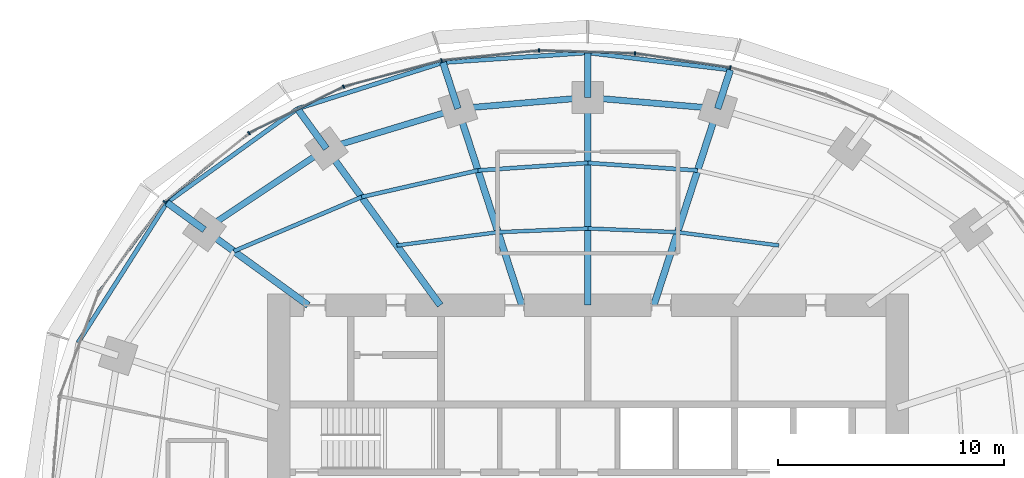
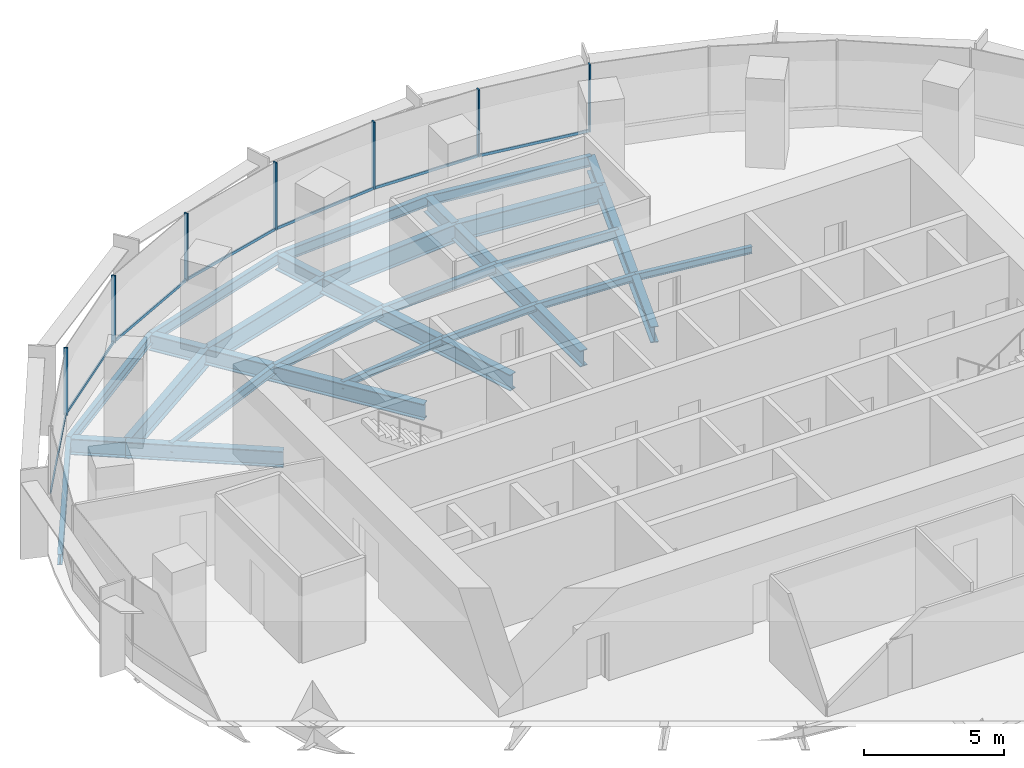
# One storey, part 7 of 14: 27 beams, 14 members, 2 elements without a shape of their own.
"""IFC4 building model written with IfcOpenShell, lengths in metres."""

from ifc_helpers import new_model, si_unit, direction, frame, origin, origin_2d, place, context, subcontext, project, spatial, rectangle, i_section, extrude, material, material_profile, profile_set, type_object, element, aggregate, save


model = new_model("IFC4")

# Units and contexts
model_context = context("Model", 3, precision=1e-05, world=origin(), true_north=direction((0.0, 1.0)))
body_context = subcontext(model_context, "Body", "Model", "MODEL_VIEW")
ifc_project = project(units=[si_unit("LENGTHUNIT", "METRE"), si_unit("AREAUNIT", "SQUARE_METRE"), si_unit("VOLUMEUNIT", "CUBIC_METRE"), si_unit("PLANEANGLEUNIT", "RADIAN"), si_unit("MASSUNIT", "GRAM", prefix="KILO")], contexts=[model_context])

# Site, building, storey
site_placement = place(None, origin())
site = spatial("IfcSite", under=ifc_project, at=site_placement, CompositionType="ELEMENT")
building_placement = place(site_placement, origin())
building = spatial("IfcBuilding", under=site, at=building_placement, Name="Marramba Exchange Tower", CompositionType="ELEMENT")
storey_placement = place(building_placement, frame((0.0, 0.0, 215.0)))
storey = spatial("IfcBuildingStorey", under=building, at=storey_placement, Name="L52", CompositionType="ELEMENT", Elevation=215.0)

# Beams
ifc_material_1 = material(Name="Steel AS/NZS 3679.2 grade 300", Category="steel")
ifc_material_profile_1 = material_profile(ifc_material_1, i_section(OverallWidth=0.300048828125, OverallDepth=0.699951171875, WebThickness=0.010009765625, FlangeThickness=0.031982421875, at=origin_2d()), Name="700WB173")
ifc_profile_set_1 = profile_set([ifc_material_profile_1], Name="Steel AS/NZS 3679.2 grade 300")
beam_type_1 = type_object("IfcBeamType", Name="Cantilever girder 700WB173", PredefinedType="BEAM", material=ifc_profile_set_1)
beam_1_placement = place(storey_placement, frame((5.75390625, 17.70849609375, -0.510009765625), z_axis=(0.308960771946, 0.951074782232, 0.0), x_axis=(-0.951074782232, 0.308960771946, 0.0)))
element("IfcBeam", 1, at=beam_1_placement, inside=storey, type_object=beam_type_1, Name="Cantilever girder L52 TC05", PredefinedType="BEAM", context=body_context, shape_type="SweptSolid", body=[
    extrude(i_section(OverallWidth=0.300048828125, OverallDepth=0.699951171875, WebThickness=0.010009765625, FlangeThickness=0.031982421875, at=origin_2d()), origin(), (0.0, 0.0, 1.0), 1.806396484375),
])
beam_2_placement = place(storey_placement, frame((0.0, 18.2041015625, -0.510009765625), z_axis=(0.0, 1.0, 0.0), x_axis=(-1.0, 0.0, 0.0)))
element("IfcBeam", 2, at=beam_2_placement, inside=storey, type_object=beam_type_1, Name="Cantilever girder L52 TC06", PredefinedType="BEAM", context=body_context, shape_type="SweptSolid", body=[
    extrude(i_section(OverallWidth=0.300048828125, OverallDepth=0.699951171875, WebThickness=0.010009765625, FlangeThickness=0.031982421875, at=origin_2d()), origin(), (0.0, 0.0, 1.0), 1.982177734375),
])
beam_3_placement = place(storey_placement, frame((-5.75390625, 17.70849609375, -0.510009765625), z_axis=(-0.308998798068, 0.951062428441, 0.0), x_axis=(-0.951062428441, -0.308998798068, 0.0)))
element("IfcBeam", 3, at=beam_3_placement, inside=storey, type_object=beam_type_1, Name="Cantilever girder L52 TC07", PredefinedType="BEAM", context=body_context, shape_type="SweptSolid", body=[
    extrude(i_section(OverallWidth=0.300048828125, OverallDepth=0.699951171875, WebThickness=0.010009765625, FlangeThickness=0.031982421875, at=origin_2d()), origin(), (0.0, 0.0, 1.0), 2.150634765625),
])
beam_4_placement = place(storey_placement, frame((-11.581298828125, 15.9404296875, -0.510009765625), z_axis=(-0.587832433352, 0.808982713226, 0.0), x_axis=(-0.808982713226, -0.587832433352, 0.0)))
element("IfcBeam", 4, at=beam_4_placement, inside=storey, type_object=beam_type_1, Name="Cantilever girder L52 TC08", PredefinedType="BEAM", context=body_context, shape_type="SweptSolid", body=[
    extrude(i_section(OverallWidth=0.300048828125, OverallDepth=0.699951171875, WebThickness=0.010009765625, FlangeThickness=0.031982421875, at=origin_2d()), origin(), (0.0, 0.0, 1.0), 2.1826171875),
])
beam_5_placement = place(storey_placement, frame((-16.98583984375, 12.3408203125, -0.510009765625), z_axis=(-0.808962446125, 0.587860324192, 0.0), x_axis=(-0.587860324192, -0.808962446125, 0.0)))
element("IfcBeam", 5, at=beam_5_placement, inside=storey, type_object=beam_type_1, Name="Cantilever girder L52 TC09", PredefinedType="BEAM", context=body_context, shape_type="SweptSolid", body=[
    extrude(i_section(OverallWidth=0.300048828125, OverallDepth=0.699951171875, WebThickness=0.010009765625, FlangeThickness=0.031982421875, at=origin_2d()), origin(), (0.0, 0.0, 1.0), 2.051513671875),
])
ifc_material_2 = material(Name="Steel AS/NZS 3679.1 grade 300", Category="steel")
ifc_material_profile_2 = material_profile(ifc_material_2, i_section(OverallWidth=0.166015625, OverallDepth=0.306884765625, WebThickness=0.006591796875, FlangeThickness=0.01171875, FilletRadius=0.011474609375, at=origin_2d()), Name="310UB46.2")
ifc_profile_set_2 = profile_set([ifc_material_profile_2], Name="Steel AS/NZS 3679.1 grade 300")
beam_type_2 = type_object("IfcBeamType", Name="Floor joist 310UB46.2", PredefinedType="JOIST", material=ifc_profile_set_2)
beam_6_placement = place(storey_placement, frame((8.4619140625, 11.646728515625, -0.3134765625), z_axis=(-0.991480538255, 0.130254912618, 0.0), x_axis=(-0.130254912618, -0.991480538255, 0.0)))
element("IfcBeam", 6, at=beam_6_placement, inside=storey, type_object=beam_type_2, Name="Joist L52 bay 04 row 1", PredefinedType="JOIST", context=body_context, shape_type="SweptSolid", body=[
    extrude(i_section(OverallWidth=0.166015625, OverallDepth=0.306884765625, WebThickness=0.006591796875, FlangeThickness=0.01171875, FilletRadius=0.011474609375, at=origin_2d()), origin(), (0.0, 0.0, 1.0), 4.524658203125),
])
for number, where, z_axis, x_axis, name in (
    (7, (3.975830078125, 12.236083984375, -0.3134765625), (-0.999137002892, 0.041536122257, 0.0), (-0.041536122257, -0.999137002892, 0.0), "Joist L52 bay 05 row 1"),
    (8, (0.0, 12.4013671875, -0.3134765625), (-0.999137002892, -0.041536122257, 0.0), (0.041536122257, -0.999137002892, 0.0), "Joist L52 bay 06 row 1"),
):
    element("IfcBeam", number, at=place(storey_placement, frame(where, z_axis=z_axis, x_axis=x_axis)), inside=storey, type_object=beam_type_2, Name=name, PredefinedType="JOIST", context=body_context, shape_type="SweptSolid", body=[
        extrude(i_section(OverallWidth=0.166015625, OverallDepth=0.306884765625, WebThickness=0.006591796875, FlangeThickness=0.01171875, FilletRadius=0.011474609375, at=origin_2d()), origin(), (0.0, 0.0, 1.0), 3.979248046875),
    ])
beam_7_placement = place(storey_placement, frame((-3.975830078125, 12.236083984375, -0.3134765625), z_axis=(-0.991480538255, -0.130254912618, 0.0), x_axis=(0.130254912618, -0.991480538255, 0.0)))
element("IfcBeam", 9, at=beam_7_placement, inside=storey, type_object=beam_type_2, Name="Joist L52 bay 07 row 1", PredefinedType="JOIST", context=body_context, shape_type="SweptSolid", body=[
    extrude(i_section(OverallWidth=0.166015625, OverallDepth=0.306884765625, WebThickness=0.006591796875, FlangeThickness=0.01171875, FilletRadius=0.011474609375, at=origin_2d()), origin(), (0.0, 0.0, 1.0), 4.524658203125),
])
ifc_material_profile_3 = material_profile(ifc_material_2, i_section(OverallWidth=0.177978515625, OverallDepth=0.406005859375, WebThickness=0.0078125, FlangeThickness=0.0126953125, FilletRadius=0.011474609375, at=origin_2d()), Name="410UB59.7")
ifc_profile_set_3 = profile_set([ifc_material_profile_3], Name="Steel AS/NZS 3679.1 grade 300")
beam_type_3 = type_object("IfcBeamType", Name="Floor joist 410UB59.7", PredefinedType="JOIST", material=ifc_profile_set_3)
for number, where, z_axis, x_axis, name in (
    (10, (4.86474609375, 14.972412109375, -0.363037109375), (-0.997702652202, 0.067745241816, 0.0), (-0.067745241816, -0.997702652202, 0.0), "Joist L52 bay 05 row 2"),
    (11, (0.0, 15.302734375, -0.363037109375), (-0.997702652202, -0.067745241816, 0.0), (0.067745241816, -0.997702652202, 0.0), "Joist L52 bay 06 row 2"),
):
    element("IfcBeam", number, at=place(storey_placement, frame(where, z_axis=z_axis, x_axis=x_axis)), inside=storey, type_object=beam_type_3, Name=name, PredefinedType="JOIST", context=body_context, shape_type="SweptSolid", body=[
        extrude(i_section(OverallWidth=0.177978515625, OverallDepth=0.406005859375, WebThickness=0.0078125, FlangeThickness=0.0126953125, FilletRadius=0.011474609375, at=origin_2d()), origin(), (0.0, 0.0, 1.0), 4.8759765625),
    ])
beam_8_placement = place(storey_placement, frame((-4.86474609375, 14.972412109375, -0.363037109375), z_axis=(-0.974859652292, -0.222819788916, 0.0), x_axis=(0.222819788916, -0.974859652292, 0.0)))
element("IfcBeam", 12, at=beam_8_placement, inside=storey, type_object=beam_type_3, Name="Joist L52 bay 07 row 2", PredefinedType="JOIST", context=body_context, shape_type="SweptSolid", body=[
    extrude(i_section(OverallWidth=0.177978515625, OverallDepth=0.406005859375, WebThickness=0.0078125, FlangeThickness=0.0126953125, FilletRadius=0.011474609375, at=origin_2d()), origin(), (0.0, 0.0, 1.0), 5.2900390625),
])
beam_9_placement = place(storey_placement, frame((-10.021728515625, 13.793701171875, -0.363037109375), z_axis=(-0.920674336375, -0.390331610738, 0.0), x_axis=(0.390331610738, -0.920674336375, 0.0)))
element("IfcBeam", 13, at=beam_9_placement, inside=storey, type_object=beam_type_3, Name="Joist L52 bay 08 row 2", PredefinedType="JOIST", context=body_context, shape_type="SweptSolid", body=[
    extrude(i_section(OverallWidth=0.177978515625, OverallDepth=0.406005859375, WebThickness=0.0078125, FlangeThickness=0.0126953125, FilletRadius=0.011474609375, at=origin_2d()), origin(), (0.0, 0.0, 1.0), 6.1484375),
])

# Curtain wall, members
ifc_material_3 = material(Name="Aluminium framing, bronze anodised", Category="aluminium")
curtain_wall_type = type_object("IfcCurtainWallType", Name="Office ribbon curtain wall", PredefinedType="USERDEFINED", material=ifc_material_3)
curtain_wall_1_placement = place(storey_placement, origin())
curtain_wall_1 = element("IfcCurtainWall", 14, at=curtain_wall_1_placement, inside=storey, type_object=curtain_wall_type, Name="Curtain wall CW4 L52 F06-F10", ObjectType="RIBBON CURTAIN WALL", PredefinedType="USERDEFINED")
ifc_material_4 = material(Name="Aluminium mullion, bronze anodised", Category="aluminium")
ifc_material_profile_4 = material_profile(ifc_material_4, rectangle(XDim=0.159912109375, YDim=0.06005859375, at=origin_2d()), Name="CW4 mullion 60x160")
ifc_profile_set_4 = profile_set([ifc_material_profile_4], Name="Aluminium mullion, bronze anodised")
member_type_1 = type_object("IfcMemberType", Name="Office ribbon curtain wall mullion", PredefinedType="MULLION", material=ifc_profile_set_4)
member_1_placement = place(storey_placement, frame((6.313232421875, 19.526123046875, 0.800048828125), z_axis=(0.0, 0.0, 1.0), x_axis=(-0.148794988635, -0.988868065698, 0.0)))
member_1 = element("IfcMember", 15, at=member_1_placement, type_object=member_type_1, Name="CW4 mullion 1", PredefinedType="MULLION", context=body_context, shape_type="SweptSolid", body=[
    extrude(rectangle(XDim=0.159912109375, YDim=0.06005859375, at=origin_2d()), origin(), (0.0, 0.0, 1.0), 2.93994140625),
])
member_2_placement = place(storey_placement, frame((2.088623046875, 20.158203125, 0.800048828125), z_axis=(0.0, 0.0, 1.0), x_axis=(-0.03039385249, -0.999538000143, 0.0)))
member_2 = element("IfcMember", 16, at=member_2_placement, type_object=member_type_1, Name="CW4 mullion 1", PredefinedType="MULLION", context=body_context, shape_type="SweptSolid", body=[
    extrude(rectangle(XDim=0.159912109375, YDim=0.06005859375, at=origin_2d()), origin(), (0.0, 0.0, 1.0), 2.93994140625),
])
member_3_placement = place(storey_placement, frame((-2.162109375, 20.28369140625, 0.800048828125), z_axis=(0.0, 0.0, 1.0), x_axis=(0.100862673507, -0.994900357369, 0.0)))
member_3 = element("IfcMember", 17, at=member_3_placement, type_object=member_type_1, Name="CW4 mullion 1", PredefinedType="MULLION", context=body_context, shape_type="SweptSolid", body=[
    extrude(rectangle(XDim=0.159912109375, YDim=0.06005859375, at=origin_2d()), origin(), (0.0, 0.0, 1.0), 2.93994140625),
])
member_4_placement = place(storey_placement, frame((-6.478271484375, 19.84130859375, 0.800048828125), z_axis=(0.0, 0.0, 1.0), x_axis=(0.257641223778, -0.966240653155, 0.0)))
member_4 = element("IfcMember", 18, at=member_4_placement, type_object=member_type_1, Name="CW4 mullion 1", PredefinedType="MULLION", context=body_context, shape_type="SweptSolid", body=[
    extrude(rectangle(XDim=0.159912109375, YDim=0.06005859375, at=origin_2d()), origin(), (0.0, 0.0, 1.0), 2.93994140625),
])

curtain_wall_2_placement = place(storey_placement, origin())
curtain_wall_2 = element("IfcCurtainWall", 19, at=curtain_wall_2_placement, inside=storey, type_object=curtain_wall_type, Name="Curtain wall CW4 L52 F11-F15", ObjectType="RIBBON CURTAIN WALL", PredefinedType="USERDEFINED")
member_5_placement = place(storey_placement, frame((-10.818359375, 18.677978515625, 0.800048828125), z_axis=(0.0, 0.0, 1.0), x_axis=(0.438972456661, -0.898500518805, 0.0)))
member_5 = element("IfcMember", 20, at=member_5_placement, type_object=member_type_1, Name="CW4 mullion 1", PredefinedType="MULLION", context=body_context, shape_type="SweptSolid", body=[
    extrude(rectangle(XDim=0.159912109375, YDim=0.06005859375, at=origin_2d()), origin(), (0.0, 0.0, 1.0), 2.93994140625),
])
member_6_placement = place(storey_placement, frame((-15.008056640625, 16.62353515625, 0.800048828125), z_axis=(0.0, 0.0, 1.0), x_axis=(0.630200830464, -0.776432169145, 0.0)))
member_6 = element("IfcMember", 21, at=member_6_placement, type_object=member_type_1, Name="CW4 mullion 1", PredefinedType="MULLION", context=body_context, shape_type="SweptSolid", body=[
    extrude(rectangle(XDim=0.159912109375, YDim=0.06005859375, at=origin_2d()), origin(), (0.0, 0.0, 1.0), 2.93994140625),
])
member_7_placement = place(storey_placement, frame((-18.744140625, 13.581298828125, 0.800048828125), z_axis=(0.0, 0.0, 1.0), x_axis=(0.805965197024, -0.591962922138, 0.0)))
member_7 = element("IfcMember", 22, at=member_7_placement, type_object=member_type_1, Name="CW4 mullion 1", PredefinedType="MULLION", context=body_context, shape_type="SweptSolid", body=[
    extrude(rectangle(XDim=0.159912109375, YDim=0.06005859375, at=origin_2d()), origin(), (0.0, 0.0, 1.0), 2.93994140625),
])

# Member
ifc_material_5 = material(Name="Aluminium transom, bronze anodised", Category="aluminium")
ifc_material_profile_5 = material_profile(ifc_material_5, rectangle(XDim=0.06005859375, YDim=0.1201171875, at=origin_2d()), Name="CW4 transom 60x120")
ifc_profile_set_5 = profile_set([ifc_material_profile_5], Name="Aluminium transom, bronze anodised")
member_type_2 = type_object("IfcMemberType", Name="Office ribbon curtain wall transom", PredefinedType="USERDEFINED", material=ifc_profile_set_5)
member_8_placement = place(storey_placement, frame((6.28369140625, 19.53076171875, 0.830078125), z_axis=(-0.988868222508, 0.148793946493, 0.0), x_axis=(-0.148793946493, -0.988868222508, 0.0)))
member_8 = element("IfcMember", 23, at=member_8_placement, type_object=member_type_2, Name="CW4 sill transom", ObjectType="TRANSOM", PredefinedType="USERDEFINED", context=body_context, shape_type="SweptSolid", body=[
    extrude(rectangle(XDim=0.06005859375, YDim=0.1201171875, at=origin_2d()), origin(), (0.0, 0.0, 1.0), 4.2119140625),
])

member_9_placement = place(storey_placement, frame((2.05859375, 20.1591796875, 0.830078125), z_axis=(-0.99953796835, 0.030394898024, 0.0), x_axis=(-0.030394898024, -0.99953796835, 0.0)))
member_9 = element("IfcMember", 24, at=member_9_placement, type_object=member_type_2, Name="CW4 sill transom", ObjectType="TRANSOM", PredefinedType="USERDEFINED", context=body_context, shape_type="SweptSolid", body=[
    extrude(rectangle(XDim=0.06005859375, YDim=0.1201171875, at=origin_2d()), origin(), (0.0, 0.0, 1.0), 4.19287109375),
])

member_10_placement = place(storey_placement, frame((-2.19189453125, 20.280517578125, 0.830078125), z_axis=(-0.99489954864, -0.100870650418, 0.0), x_axis=(0.100870650418, -0.99489954864, 0.0)))
member_10 = element("IfcMember", 25, at=member_10_placement, type_object=member_type_2, Name="CW4 sill transom", ObjectType="TRANSOM", PredefinedType="USERDEFINED", context=body_context, shape_type="SweptSolid", body=[
    extrude(rectangle(XDim=0.06005859375, YDim=0.1201171875, at=origin_2d()), origin(), (0.0, 0.0, 1.0), 4.279052734375),
])

member_11_placement = place(storey_placement, frame((-6.50732421875, 19.83349609375, 0.830078125), z_axis=(-0.966237681407, -0.25765236857, 0.0), x_axis=(0.25765236857, -0.966237681407, 0.0)))
member_11 = element("IfcMember", 26, at=member_11_placement, type_object=member_type_2, Name="CW4 sill transom", ObjectType="TRANSOM", PredefinedType="USERDEFINED", context=body_context, shape_type="SweptSolid", body=[
    extrude(rectangle(XDim=0.06005859375, YDim=0.1201171875, at=origin_2d()), origin(), (0.0, 0.0, 1.0), 4.43359375),
])

aggregate(curtain_wall_1, [member_1, member_8, member_2, member_9, member_3, member_10, member_4, member_11])

member_12_placement = place(storey_placement, frame((-10.84521484375, 18.664794921875, 0.830078125), z_axis=(-0.898501418486, -0.438970615165, 0.0), x_axis=(0.438970615165, -0.898501418486, 0.0)))
member_12 = element("IfcMember", 27, at=member_12_placement, type_object=member_type_2, Name="CW4 sill transom", ObjectType="TRANSOM", PredefinedType="USERDEFINED", context=body_context, shape_type="SweptSolid", body=[
    extrude(rectangle(XDim=0.06005859375, YDim=0.1201171875, at=origin_2d()), origin(), (0.0, 0.0, 1.0), 4.607177734375),
])

member_13_placement = place(storey_placement, frame((-15.031494140625, 16.6044921875, 0.830078125), z_axis=(-0.776424623019, -0.630210127473, 0.0), x_axis=(0.630210127473, -0.776424623019, 0.0)))
member_13 = element("IfcMember", 28, at=member_13_placement, type_object=member_type_2, Name="CW4 sill transom", ObjectType="TRANSOM", PredefinedType="USERDEFINED", context=body_context, shape_type="SweptSolid", body=[
    extrude(rectangle(XDim=0.06005859375, YDim=0.1201171875, at=origin_2d()), origin(), (0.0, 0.0, 1.0), 4.7587890625),
])

member_14_placement = place(storey_placement, frame((-18.761962890625, 13.55712890625, 0.830078125), z_axis=(-0.591957380483, -0.805969267213, 0.0), x_axis=(0.805969267213, -0.591957380483, 0.0)))
member_14 = element("IfcMember", 29, at=member_14_placement, type_object=member_type_2, Name="CW4 sill transom", ObjectType="TRANSOM", PredefinedType="USERDEFINED", context=body_context, shape_type="SweptSolid", body=[
    extrude(rectangle(XDim=0.06005859375, YDim=0.1201171875, at=origin_2d()), origin(), (0.0, 0.0, 1.0), 4.865478515625),
])

aggregate(curtain_wall_2, [member_5, member_12, member_6, member_13, member_7, member_14])

# Beams
ifc_material_profile_6 = material_profile(ifc_material_1, i_section(OverallWidth=0.300048828125, OverallDepth=0.699951171875, WebThickness=0.010009765625, FlangeThickness=0.031982421875, at=origin_2d()), Name="700WB173")
ifc_profile_set_6 = profile_set([ifc_material_profile_6], Name="Steel AS/NZS 3679.2 grade 300")
beam_type_4 = type_object("IfcBeamType", Name="Radial girder 700WB173", PredefinedType="BEAM", material=ifc_profile_set_6)
beam_10_placement = place(storey_placement, frame((2.92431640625, 9.0, -0.510009765625), z_axis=(0.309019754162, 0.951055619582, 0.0), x_axis=(-0.951055619582, 0.309019754162, 0.0)))
element("IfcBeam", 30, at=beam_10_placement, inside=storey, type_object=beam_type_4, Name="Radial girder L52 TC05", PredefinedType="BEAM", context=body_context, shape_type="SweptSolid", body=[
    extrude(i_section(OverallWidth=0.300048828125, OverallDepth=0.699951171875, WebThickness=0.010009765625, FlangeThickness=0.031982421875, at=origin_2d()), origin(), (0.0, 0.0, 1.0), 9.15673828125),
])
beam_11_placement = place(storey_placement, frame((0.0, 9.0, -0.510009765625), z_axis=(0.0, 1.0, 0.0), x_axis=(-1.0, 0.0, 0.0)))
element("IfcBeam", 31, at=beam_11_placement, inside=storey, type_object=beam_type_4, Name="Radial girder L52 TC06", PredefinedType="BEAM", context=body_context, shape_type="SweptSolid", body=[
    extrude(i_section(OverallWidth=0.300048828125, OverallDepth=0.699951171875, WebThickness=0.010009765625, FlangeThickness=0.031982421875, at=origin_2d()), origin(), (0.0, 0.0, 1.0), 9.2041015625),
])
beam_12_placement = place(storey_placement, frame((-2.92431640625, 9.0, -0.510009765625), z_axis=(-0.309019754162, 0.951055619582, 0.0), x_axis=(-0.951055619582, -0.309019754162, 0.0)))
element("IfcBeam", 32, at=beam_12_placement, inside=storey, type_object=beam_type_4, Name="Radial girder L52 TC07", PredefinedType="BEAM", context=body_context, shape_type="SweptSolid", body=[
    extrude(i_section(OverallWidth=0.300048828125, OverallDepth=0.699951171875, WebThickness=0.010009765625, FlangeThickness=0.031982421875, at=origin_2d()), origin(), (0.0, 0.0, 1.0), 9.15673828125),
])
beam_13_placement = place(storey_placement, frame((-6.538818359375, 9.0, -0.510009765625), z_axis=(-0.587782439969, 0.80901903764, 0.0), x_axis=(-0.80901903764, -0.587782439969, 0.0)))
element("IfcBeam", 33, at=beam_13_placement, inside=storey, type_object=beam_type_4, Name="Radial girder L52 TC08", PredefinedType="BEAM", context=body_context, shape_type="SweptSolid", body=[
    extrude(i_section(OverallWidth=0.300048828125, OverallDepth=0.699951171875, WebThickness=0.010009765625, FlangeThickness=0.031982421875, at=origin_2d()), origin(), (0.0, 0.0, 1.0), 8.578857421875),
])
beam_14_placement = place(storey_placement, frame((-12.387451171875, 9.0, -0.510009765625), z_axis=(-0.809025746925, 0.587773205252, 0.0), x_axis=(-0.587773205252, -0.809025746925, 0.0)))
element("IfcBeam", 34, at=beam_14_placement, inside=storey, type_object=beam_type_4, Name="Radial girder L52 TC09", PredefinedType="BEAM", context=body_context, shape_type="SweptSolid", body=[
    extrude(i_section(OverallWidth=0.300048828125, OverallDepth=0.699951171875, WebThickness=0.010009765625, FlangeThickness=0.031982421875, at=origin_2d()), origin(), (0.0, 0.0, 1.0), 5.683837890625),
])
ifc_material_profile_7 = material_profile(ifc_material_1, i_section(OverallWidth=0.27490234375, OverallDepth=0.800048828125, WebThickness=0.010009765625, FlangeThickness=0.02490234375, at=origin_2d()), Name="800WB168")
ifc_profile_set_7 = profile_set([ifc_material_profile_7], Name="Steel AS/NZS 3679.2 grade 300")
beam_type_5 = type_object("IfcBeamType", Name="Ring beam 800WB168", PredefinedType="SPANDREL", material=ifc_profile_set_7)
for number, where, z_axis, x_axis, name in (
    (35, (5.75390625, 17.70849609375, -0.56005859375), (-0.996311003275, 0.085815993578, 0.0), (-0.085815993578, -0.996311003275, 0.0), "Ring beam L52 TC05-TC06"),
    (36, (0.0, 18.2041015625, -0.56005859375), (-0.996311003275, -0.085815993578, 0.0), (0.085815993578, -0.996311003275, 0.0), "Ring beam L52 TC06-TC07"),
):
    element("IfcBeam", number, at=place(storey_placement, frame(where, z_axis=z_axis, x_axis=x_axis)), inside=storey, type_object=beam_type_5, Name=name, PredefinedType="SPANDREL", context=body_context, shape_type="SweptSolid", body=[
        extrude(i_section(OverallWidth=0.27490234375, OverallDepth=0.800048828125, WebThickness=0.010009765625, FlangeThickness=0.02490234375, at=origin_2d()), origin(), (0.0, 0.0, 1.0), 5.775146484375),
    ])
beam_15_placement = place(storey_placement, frame((-5.75390625, 17.70849609375, -0.56005859375), z_axis=(-0.956924542524, -0.290336735387, 0.0), x_axis=(0.290336735387, -0.956924542524, 0.0)))
element("IfcBeam", 37, at=beam_15_placement, inside=storey, type_object=beam_type_5, Name="Ring beam L52 TC07-TC08", PredefinedType="SPANDREL", context=body_context, shape_type="SweptSolid", body=[
    extrude(i_section(OverallWidth=0.27490234375, OverallDepth=0.800048828125, WebThickness=0.010009765625, FlangeThickness=0.02490234375, at=origin_2d()), origin(), (0.0, 0.0, 1.0), 6.089599609375),
])
beam_16_placement = place(storey_placement, frame((-11.581298828125, 15.9404296875, -0.56005859375), z_axis=(-0.832293151443, -0.554335737673, 0.0), x_axis=(0.554335737673, -0.832293151443, 0.0)))
element("IfcBeam", 38, at=beam_16_placement, inside=storey, type_object=beam_type_5, Name="Ring beam L52 TC08-TC09", PredefinedType="SPANDREL", context=body_context, shape_type="SweptSolid", body=[
    extrude(i_section(OverallWidth=0.27490234375, OverallDepth=0.800048828125, WebThickness=0.010009765625, FlangeThickness=0.02490234375, at=origin_2d()), origin(), (0.0, 0.0, 1.0), 6.49365234375),
])
ifc_material_profile_8 = material_profile(ifc_material_2, i_section(OverallWidth=0.19091796875, OverallDepth=0.4599609375, WebThickness=0.010009765625, FlangeThickness=0.01611328125, FilletRadius=0.011474609375, at=origin_2d()), Name="460UB82.1")
ifc_profile_set_8 = profile_set([ifc_material_profile_8], Name="Steel AS/NZS 3679.1 grade 300")
beam_type_6 = type_object("IfcBeamType", Name="Slab edge beam 460UB82.1", PredefinedType="SPANDREL", material=ifc_profile_set_8)
beam_17_placement = place(storey_placement, frame((6.31201171875, 19.426513671875, -0.389892578125), z_axis=(-0.992833525914, 0.119505605811, 0.0), x_axis=(-0.119505605811, -0.992833525914, 0.0)))
element("IfcBeam", 39, at=beam_17_placement, inside=storey, type_object=beam_type_6, Name="Slab edge beam L52 TC05-TC06", PredefinedType="SPANDREL", context=body_context, shape_type="SweptSolid", body=[
    extrude(i_section(OverallWidth=0.19091796875, OverallDepth=0.4599609375, WebThickness=0.010009765625, FlangeThickness=0.01611328125, FilletRadius=0.011474609375, at=origin_2d()), origin(), (0.0, 0.0, 1.0), 6.357666015625),
])
beam_18_placement = place(storey_placement, frame((0.0, 20.186279296875, -0.389892578125), z_axis=(-0.997738737775, -0.06721168903, 0.0), x_axis=(0.06721168903, -0.997738737775, 0.0)))
element("IfcBeam", 40, at=beam_18_placement, inside=storey, type_object=beam_type_6, Name="Slab edge beam L52 TC06-TC07", PredefinedType="SPANDREL", context=body_context, shape_type="SweptSolid", body=[
    extrude(i_section(OverallWidth=0.19091796875, OverallDepth=0.4599609375, WebThickness=0.010009765625, FlangeThickness=0.01611328125, FilletRadius=0.011474609375, at=origin_2d()), origin(), (0.0, 0.0, 1.0), 6.43310546875),
])
beam_19_placement = place(storey_placement, frame((-6.41845703125, 19.75390625, -0.389892578125), z_axis=(-0.953057484675, -0.302789416766, 0.0), x_axis=(0.302789416766, -0.953057484675, 0.0)))
element("IfcBeam", 41, at=beam_19_placement, inside=storey, type_object=beam_type_6, Name="Slab edge beam L52 TC07-TC08", PredefinedType="SPANDREL", context=body_context, shape_type="SweptSolid", body=[
    extrude(i_section(OverallWidth=0.19091796875, OverallDepth=0.4599609375, WebThickness=0.010009765625, FlangeThickness=0.01611328125, FilletRadius=0.011474609375, at=origin_2d()), origin(), (0.0, 0.0, 1.0), 6.76318359375),
])
beam_20_placement = place(storey_placement, frame((-12.8642578125, 17.7060546875, -0.389892578125), z_axis=(-0.811755352788, -0.583997643163, 0.0), x_axis=(0.583997643163, -0.811755352788, 0.0)))
element("IfcBeam", 42, at=beam_20_placement, inside=storey, type_object=beam_type_6, Name="Slab edge beam L52 TC08-TC09", PredefinedType="SPANDREL", context=body_context, shape_type="SweptSolid", body=[
    extrude(i_section(OverallWidth=0.19091796875, OverallDepth=0.4599609375, WebThickness=0.010009765625, FlangeThickness=0.01611328125, FilletRadius=0.011474609375, at=origin_2d()), origin(), (0.0, 0.0, 1.0), 7.121826171875),
])
beam_21_placement = place(storey_placement, frame((-18.6455078125, 13.546875, -0.389892578125), z_axis=(-0.535794396634, -0.844348485245, 0.0), x_axis=(0.844348485245, -0.535794396634, 0.0)))
element("IfcBeam", 43, at=beam_21_placement, inside=storey, type_object=beam_type_6, Name="Slab edge beam L52 TC09-TC10", PredefinedType="SPANDREL", context=body_context, shape_type="SweptSolid", body=[
    extrude(i_section(OverallWidth=0.19091796875, OverallDepth=0.4599609375, WebThickness=0.010009765625, FlangeThickness=0.01611328125, FilletRadius=0.011474609375, at=origin_2d()), origin(), (0.0, 0.0, 1.0), 7.35302734375),
])

save(model, "model.ifc")
